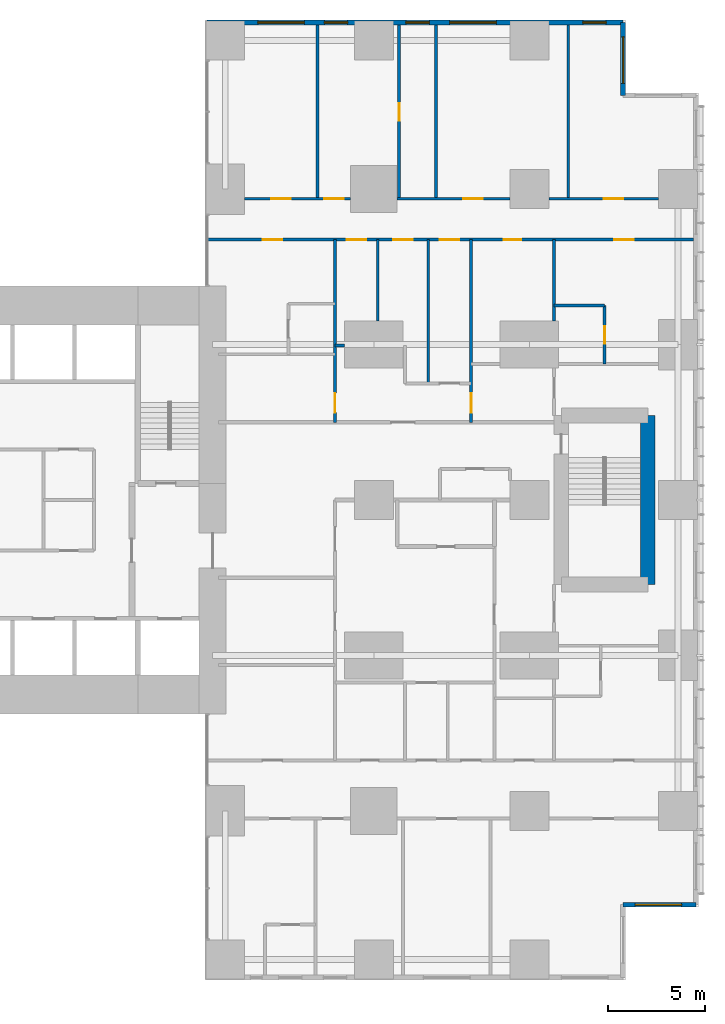
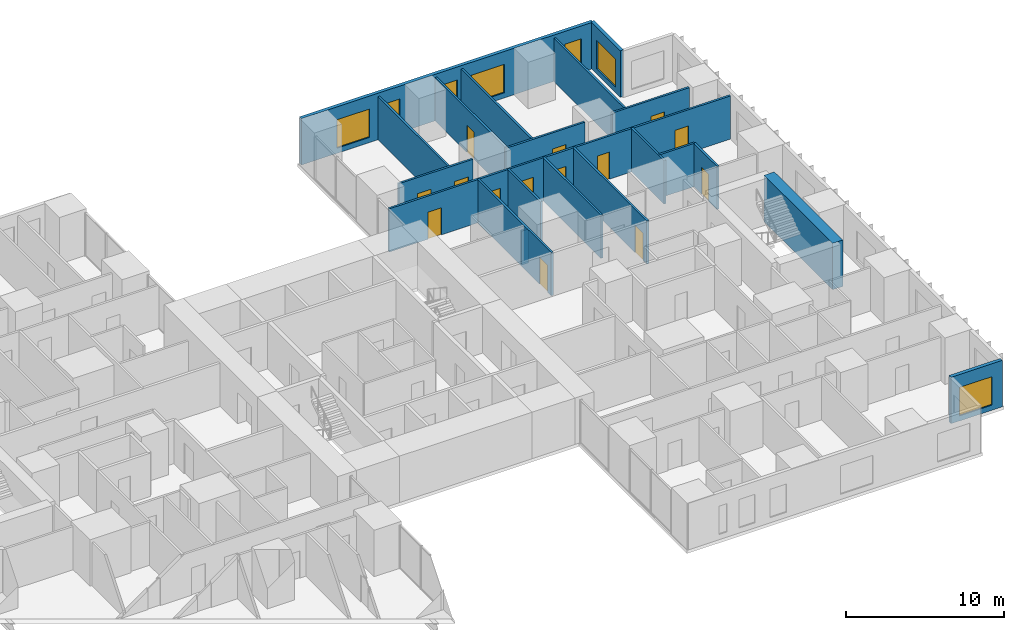
# One storey, part 18 of 20: 20 walls, 14 doors, 7 windows, 21 openings.
"""IFC4 building model written with IfcOpenShell, lengths in metres."""

from ifc_helpers import new_model, si_unit, direction, frame, frame_2d, origin, place, context, subcontext, project, spatial, rectangle, extrude, material, layer, layer_set, type_object, element, fill, save


model = new_model("IFC4")

# Units and contexts
model_context = context("Model", 3, precision=1e-05, world=origin(), true_north=direction((0.0, 1.0)))
body_context = subcontext(model_context, "Body", "Model", "MODEL_VIEW")
ifc_project = project(units=[si_unit("LENGTHUNIT", "METRE"), si_unit("AREAUNIT", "SQUARE_METRE"), si_unit("VOLUMEUNIT", "CUBIC_METRE"), si_unit("PLANEANGLEUNIT", "RADIAN"), si_unit("MASSUNIT", "GRAM", prefix="KILO")], contexts=[model_context])

# Site, building, storey
site_placement = place(None, origin())
site = spatial("IfcSite", under=ifc_project, at=site_placement, CompositionType="ELEMENT")
building_placement = place(site_placement, origin())
building = spatial("IfcBuilding", under=site, at=building_placement, Name="Cleftline Residences", CompositionType="ELEMENT")
storey_placement = place(building_placement, frame((0.0, 0.0, 103.39990234375)))
storey = spatial("IfcBuildingStorey", under=building, at=storey_placement, Name="L26", CompositionType="ELEMENT", Elevation=103.39990234375)

# Wall, opening, window
ifc_material_1 = material(Name="Rendered reinforced concrete blockwork", Category="masonry")
ifc_layer_1 = layer(ifc_material_1, 0.25)
ifc_layer_set_1 = layer_set([ifc_layer_1], Name="EXTERNAL WALL 250")
wall_type_1 = type_object("IfcWallType", Name="EXTERNAL WALL 250", PredefinedType="SOLIDWALL", material=ifc_layer_set_1)
wall_1_placement = place(storey_placement, frame((62.824951171875, 3.175048828125, 0.0), z_axis=(0.0, 0.0, 1.0), x_axis=(1.0, 0.0, 0.0)))
wall_1 = element("IfcWall", 1, at=wall_1_placement, inside=storey, type_object=wall_type_1, Name="External wall", PredefinedType="SOLIDWALL", context=body_context, shape_type="SweptSolid", body=[
    extrude(rectangle(XDim=3.75, YDim=0.25, at=frame_2d((1.875, 0.0))), origin(), (0.0, 0.0, 1.0), 3.60009765625),
])
opening_1_placement = place(wall_1_placement, frame((0.612548828125, 0.0, 0.39990234375)))
opening_1 = element("IfcOpeningElement", 2, at=opening_1_placement, cuts=wall_1, Name="Opening W12", PredefinedType="OPENING", context=body_context, shape_type="SweptSolid", body=[
    extrude(rectangle(XDim=2.39990234375, YDim=2.199951171875, at=frame_2d((1.199951171875, 1.10009765625))), frame((0.0, 0.135009765625, 0.0), z_axis=(0.0, -1.0, 0.0), x_axis=(1.0, 0.0, 0.0)), (0.0, 0.0, 1.0), 0.27001953125),
])
ifc_material_2 = material(Name="Aluminium frame, clear double glazing", Category="aluminium")
window_type_1 = type_object("IfcWindowType", Name="WINDOW 2400X2200", PartitioningType="DOUBLE_PANEL_VERTICAL", PredefinedType="WINDOW", material=ifc_material_2)
window_1_placement = place(opening_1_placement, origin())
window_1 = element("IfcWindow", 3, at=window_1_placement, inside=storey, type_object=window_type_1, Name="Window", OverallHeight=2.199951171875, OverallWidth=2.39990234375, PartitioningType="SINGLE_PANEL", PredefinedType="WINDOW", context=body_context, shape_type="SweptSolid", body=[
    extrude(rectangle(XDim=2.39990234375, YDim=2.199951171875, at=frame_2d((1.199951171875, 1.10009765625))), frame((0.0, 0.030029296875, 0.0), z_axis=(0.0, -1.0, 0.0), x_axis=(1.0, 0.0, 0.0)), (0.0, 0.0, 1.0), 0.06005859375),
])
fill(opening_1, window_1)

wall_2_placement = place(storey_placement, frame((62.824951171875, 44.824951171875, 0.0), z_axis=(0.0, 0.0, 1.0), x_axis=(0.0, 1.0, 0.0)))
wall_2 = element("IfcWall", 4, at=wall_2_placement, inside=storey, type_object=wall_type_1, Name="External wall", PredefinedType="SOLIDWALL", context=body_context, shape_type="SweptSolid", body=[
    extrude(rectangle(XDim=3.75, YDim=0.25, at=frame_2d((1.875, 0.0))), origin(), (0.0, 0.0, 1.0), 3.60009765625),
])
opening_2_placement = place(wall_2_placement, frame((0.612548828125, 0.0, 0.39990234375)))
opening_2 = element("IfcOpeningElement", 5, at=opening_2_placement, cuts=wall_2, Name="Opening W12", PredefinedType="OPENING", context=body_context, shape_type="SweptSolid", body=[
    extrude(rectangle(XDim=2.39990234375, YDim=2.199951171875, at=frame_2d((1.199951171875, 1.10009765625))), frame((0.0, 0.135009765625, 0.0), z_axis=(0.0, -1.0, 0.0), x_axis=(1.0, 0.0, 0.0)), (0.0, 0.0, 1.0), 0.27001953125),
])
window_2_placement = place(opening_2_placement, origin())
window_2 = element("IfcWindow", 6, at=window_2_placement, inside=storey, type_object=window_type_1, Name="Window", OverallHeight=2.199951171875, OverallWidth=2.39990234375, PartitioningType="SINGLE_PANEL", PredefinedType="WINDOW", context=body_context, shape_type="SweptSolid", body=[
    extrude(rectangle(XDim=2.39990234375, YDim=2.199951171875, at=frame_2d((1.199951171875, 1.10009765625))), frame((0.0, 0.030029296875, 0.0), z_axis=(0.0, -1.0, 0.0), x_axis=(1.0, 0.0, 0.0)), (0.0, 0.0, 1.0), 0.06005859375),
])
fill(opening_2, window_2)

# Wall, openings, windows
wall_3_placement = place(storey_placement, frame((62.824951171875, 48.574951171875, 0.0), z_axis=(0.0, 0.0, 1.0), x_axis=(-1.0, 0.0, 0.0)))
wall_3 = element("IfcWall", 7, at=wall_3_placement, inside=storey, type_object=wall_type_1, Name="External wall", PredefinedType="SOLIDWALL", context=body_context, shape_type="SweptSolid", body=[
    extrude(rectangle(XDim=21.39990234375, YDim=0.25, at=frame_2d((10.699951171875, 0.0))), origin(), (0.0, 0.0, 1.0), 3.60009765625),
])
opening_3_placement = place(wall_3_placement, frame((0.875, 0.0, 0.39990234375)))
opening_3 = element("IfcOpeningElement", 8, at=opening_3_placement, cuts=wall_3, Name="Opening W11", PredefinedType="OPENING", context=body_context, shape_type="SweptSolid", body=[
    extrude(rectangle(XDim=1.199951171875, YDim=2.199951171875, at=frame_2d((0.60009765625, 1.10009765625))), frame((0.0, 0.135009765625, 0.0), z_axis=(0.0, -1.0, 0.0), x_axis=(1.0, 0.0, 0.0)), (0.0, 0.0, 1.0), 0.27001953125),
])
opening_4_placement = place(wall_3_placement, frame((6.52490234375, 0.0, 0.39990234375)))
opening_4 = element("IfcOpeningElement", 9, at=opening_4_placement, cuts=wall_3, Name="Opening W12", PredefinedType="OPENING", context=body_context, shape_type="SweptSolid", body=[
    extrude(rectangle(XDim=2.39990234375, YDim=2.199951171875, at=frame_2d((1.199951171875, 1.10009765625))), frame((0.0, 0.135009765625, 0.0), z_axis=(0.0, -1.0, 0.0), x_axis=(1.0, 0.0, 0.0)), (0.0, 0.0, 1.0), 0.27001953125),
])
opening_5_placement = place(wall_3_placement, frame((9.97509765625, 0.0, 0.39990234375)))
opening_5 = element("IfcOpeningElement", 10, at=opening_5_placement, cuts=wall_3, Name="Opening W11", PredefinedType="OPENING", context=body_context, shape_type="SweptSolid", body=[
    extrude(rectangle(XDim=1.199951171875, YDim=2.199951171875, at=frame_2d((0.60009765625, 1.10009765625))), frame((0.0, 0.135009765625, 0.0), z_axis=(0.0, -1.0, 0.0), x_axis=(1.0, 0.0, 0.0)), (0.0, 0.0, 1.0), 0.27001953125),
])
opening_6_placement = place(wall_3_placement, frame((14.175048828125, 0.0, 0.39990234375)))
opening_6 = element("IfcOpeningElement", 11, at=opening_6_placement, cuts=wall_3, Name="Opening W11", PredefinedType="OPENING", context=body_context, shape_type="SweptSolid", body=[
    extrude(rectangle(XDim=1.199951171875, YDim=2.199951171875, at=frame_2d((0.60009765625, 1.10009765625))), frame((0.0, 0.135009765625, 0.0), z_axis=(0.0, -1.0, 0.0), x_axis=(1.0, 0.0, 0.0)), (0.0, 0.0, 1.0), 0.27001953125),
])
opening_7_placement = place(wall_3_placement, frame((16.39990234375, 0.0, 0.39990234375)))
opening_7 = element("IfcOpeningElement", 12, at=opening_7_placement, cuts=wall_3, Name="Opening W12", PredefinedType="OPENING", context=body_context, shape_type="SweptSolid", body=[
    extrude(rectangle(XDim=2.39990234375, YDim=2.199951171875, at=frame_2d((1.199951171875, 1.10009765625))), frame((0.0, 0.135009765625, 0.0), z_axis=(0.0, -1.0, 0.0), x_axis=(1.0, 0.0, 0.0)), (0.0, 0.0, 1.0), 0.27001953125),
])
ifc_material_3 = material(Name="Aluminium frame, clear double glazing", Category="aluminium")
window_type_2 = type_object("IfcWindowType", Name="WINDOW 1200X2200", PartitioningType="DOUBLE_PANEL_VERTICAL", PredefinedType="WINDOW", material=ifc_material_3)
window_3_placement = place(opening_3_placement, origin())
window_3 = element("IfcWindow", 13, at=window_3_placement, inside=storey, type_object=window_type_2, Name="Window", OverallHeight=2.199951171875, OverallWidth=1.199951171875, PartitioningType="SINGLE_PANEL", PredefinedType="WINDOW", context=body_context, shape_type="SweptSolid", body=[
    extrude(rectangle(XDim=1.199951171875, YDim=2.199951171875, at=frame_2d((0.60009765625, 1.10009765625))), frame((0.0, 0.030029296875, 0.0), z_axis=(0.0, -1.0, 0.0), x_axis=(1.0, 0.0, 0.0)), (0.0, 0.0, 1.0), 0.06005859375),
])
fill(opening_3, window_3)
window_4_placement = place(opening_5_placement, origin())
window_4 = element("IfcWindow", 14, at=window_4_placement, inside=storey, type_object=window_type_2, Name="Window", OverallHeight=2.199951171875, OverallWidth=1.199951171875, PartitioningType="SINGLE_PANEL", PredefinedType="WINDOW", context=body_context, shape_type="SweptSolid", body=[
    extrude(rectangle(XDim=1.199951171875, YDim=2.199951171875, at=frame_2d((0.60009765625, 1.10009765625))), frame((0.0, 0.030029296875, 0.0), z_axis=(0.0, -1.0, 0.0), x_axis=(1.0, 0.0, 0.0)), (0.0, 0.0, 1.0), 0.06005859375),
])
fill(opening_5, window_4)
window_5_placement = place(opening_6_placement, origin())
window_5 = element("IfcWindow", 15, at=window_5_placement, inside=storey, type_object=window_type_2, Name="Window", OverallHeight=2.199951171875, OverallWidth=1.199951171875, PartitioningType="SINGLE_PANEL", PredefinedType="WINDOW", context=body_context, shape_type="SweptSolid", body=[
    extrude(rectangle(XDim=1.199951171875, YDim=2.199951171875, at=frame_2d((0.60009765625, 1.10009765625))), frame((0.0, 0.030029296875, 0.0), z_axis=(0.0, -1.0, 0.0), x_axis=(1.0, 0.0, 0.0)), (0.0, 0.0, 1.0), 0.06005859375),
])
fill(opening_6, window_5)
window_6_placement = place(opening_4_placement, origin())
window_6 = element("IfcWindow", 16, at=window_6_placement, inside=storey, type_object=window_type_1, Name="Window", OverallHeight=2.199951171875, OverallWidth=2.39990234375, PartitioningType="SINGLE_PANEL", PredefinedType="WINDOW", context=body_context, shape_type="SweptSolid", body=[
    extrude(rectangle(XDim=2.39990234375, YDim=2.199951171875, at=frame_2d((1.199951171875, 1.10009765625))), frame((0.0, 0.030029296875, 0.0), z_axis=(0.0, -1.0, 0.0), x_axis=(1.0, 0.0, 0.0)), (0.0, 0.0, 1.0), 0.06005859375),
])
fill(opening_4, window_6)
window_7_placement = place(opening_7_placement, origin())
window_7 = element("IfcWindow", 17, at=window_7_placement, inside=storey, type_object=window_type_1, Name="Window", OverallHeight=2.199951171875, OverallWidth=2.39990234375, PartitioningType="SINGLE_PANEL", PredefinedType="WINDOW", context=body_context, shape_type="SweptSolid", body=[
    extrude(rectangle(XDim=2.39990234375, YDim=2.199951171875, at=frame_2d((1.199951171875, 1.10009765625))), frame((0.0, 0.030029296875, 0.0), z_axis=(0.0, -1.0, 0.0), x_axis=(1.0, 0.0, 0.0)), (0.0, 0.0, 1.0), 0.06005859375),
])
fill(opening_7, window_7)

# Walls
ifc_material_4 = material(Name="Gypsum board on steel studs", Category="steel")
ifc_layer_2 = layer(ifc_material_4, 0.14990234375)
ifc_layer_set_2 = layer_set([ifc_layer_2], Name="PARTITION 150")
wall_type_2 = type_object("IfcWallType", Name="PARTITION 150", PredefinedType="PARTITIONING", material=ifc_layer_set_2)
wall_4_placement = place(storey_placement, frame((48.0, 31.949951171875, 0.0), z_axis=(0.0, 0.0, 1.0), x_axis=(1.0, 0.0, 0.0)))
element("IfcWall", 18, at=wall_4_placement, inside=storey, type_object=wall_type_2, Name="Partition", PredefinedType="PARTITIONING", context=body_context, shape_type="SweptSolid", body=[
    extrude(rectangle(XDim=0.5, YDim=0.14990234375, at=frame_2d((0.25, 0.0))), origin(), (0.0, 0.0, 1.0), 2.634033203125),
])
wall_5_placement = place(storey_placement, frame((59.27490234375, 34.0, 0.0), z_axis=(0.0, 0.0, 1.0), x_axis=(1.0, 0.0, 0.0)))
element("IfcWall", 19, at=wall_5_placement, inside=storey, type_object=wall_type_2, Name="Partition", PredefinedType="PARTITIONING", context=body_context, shape_type="SweptSolid", body=[
    extrude(rectangle(XDim=2.60009765625, YDim=0.14990234375, at=frame_2d((1.300048828125, 0.0))), origin(), (0.0, 0.0, 1.0), 3.35009765625),
])

# Wall, openings, doors
wall_6_placement = place(storey_placement, frame((41.43896484375, 37.39990234375, 0.0), z_axis=(0.0, 0.0, 1.0), x_axis=(1.0, 0.0, 0.0)))
wall_6 = element("IfcWall", 20, at=wall_6_placement, inside=storey, type_object=wall_type_2, Name="Partition", PredefinedType="PARTITIONING", context=body_context, shape_type="SweptSolid", body=[
    extrude(rectangle(XDim=25.010986328125, YDim=0.14990234375, at=frame_2d((12.50537109375, 0.0))), origin(), (0.0, 0.0, 1.0), 3.35009765625),
])
opening_8_placement = place(wall_6_placement, frame((11.9609375, 0.0, 0.0)))
opening_8 = element("IfcOpeningElement", 21, at=opening_8_placement, cuts=wall_6, Name="Opening D2F30", PredefinedType="OPENING", context=body_context, shape_type="SweptSolid", body=[
    extrude(rectangle(XDim=1.0, YDim=2.10009765625, at=frame_2d((0.5, 1.050048828125))), frame((0.0, 0.0849609375, 0.0), z_axis=(0.0, -1.0, 0.0), x_axis=(1.0, 0.0, 0.0)), (0.0, 0.0, 1.0), 0.169921875),
])
opening_9_placement = place(wall_6_placement, frame((20.923583984375, 0.0, 0.0)))
opening_9 = element("IfcOpeningElement", 22, at=opening_9_placement, cuts=wall_6, Name="Opening D2F30", PredefinedType="OPENING", context=body_context, shape_type="SweptSolid", body=[
    extrude(rectangle(XDim=1.0, YDim=2.10009765625, at=frame_2d((0.5, 1.050048828125))), frame((0.0, 0.0849609375, 0.0), z_axis=(0.0, -1.0, 0.0), x_axis=(1.0, 0.0, 0.0)), (0.0, 0.0, 1.0), 0.169921875),
])
opening_10_placement = place(wall_6_placement, frame((15.24853515625, 0.0, 0.0)))
opening_10 = element("IfcOpeningElement", 23, at=opening_10_placement, cuts=wall_6, Name="Opening D1F30", PredefinedType="OPENING", context=body_context, shape_type="SweptSolid", body=[
    extrude(rectangle(XDim=0.89990234375, YDim=2.10009765625, at=frame_2d((0.449951171875, 1.050048828125))), frame((0.0, 0.0849609375, 0.0), z_axis=(0.0, -1.0, 0.0), x_axis=(1.0, 0.0, 0.0)), (0.0, 0.0, 1.0), 0.169921875),
])
opening_11_placement = place(wall_6_placement, frame((9.56103515625, 0.0, 0.0)))
opening_11 = element("IfcOpeningElement", 24, at=opening_11_placement, cuts=wall_6, Name="Opening D2F30", PredefinedType="OPENING", context=body_context, shape_type="SweptSolid", body=[
    extrude(rectangle(XDim=1.0, YDim=2.10009765625, at=frame_2d((0.5, 1.050048828125))), frame((0.0, 0.0849609375, 0.0), z_axis=(0.0, -1.0, 0.0), x_axis=(1.0, 0.0, 0.0)), (0.0, 0.0, 1.0), 0.169921875),
])
opening_12_placement = place(wall_6_placement, frame((7.160888671875, 0.0, 0.0)))
opening_12 = element("IfcOpeningElement", 25, at=opening_12_placement, cuts=wall_6, Name="Opening D2F30", PredefinedType="OPENING", context=body_context, shape_type="SweptSolid", body=[
    extrude(rectangle(XDim=1.0, YDim=2.10009765625, at=frame_2d((0.5, 1.050048828125))), frame((0.0, 0.0849609375, 0.0), z_axis=(0.0, -1.0, 0.0), x_axis=(1.0, 0.0, 0.0)), (0.0, 0.0, 1.0), 0.169921875),
])
opening_13_placement = place(wall_6_placement, frame((2.8359375, 0.0, 0.0)))
opening_13 = element("IfcOpeningElement", 26, at=opening_13_placement, cuts=wall_6, Name="Opening D2F30", PredefinedType="OPENING", context=body_context, shape_type="SweptSolid", body=[
    extrude(rectangle(XDim=1.0, YDim=2.10009765625, at=frame_2d((0.5, 1.050048828125))), frame((0.0, 0.0849609375, 0.0), z_axis=(0.0, -1.0, 0.0), x_axis=(1.0, 0.0, 0.0)), (0.0, 0.0, 1.0), 0.169921875),
])
ifc_material_5 = material(Name="Timber veneer on solid core", Category="wood")
door_type_1 = type_object("IfcDoorType", Name="DOOR 1000X2100 EI 30", OperationType="SINGLE_SWING_LEFT", PredefinedType="DOOR", material=ifc_material_5)
door_1_placement = place(opening_8_placement, origin())
door_1 = element("IfcDoor", 27, at=door_1_placement, inside=storey, type_object=door_type_1, Name="Door to residence hall (gallery)", OperationType="SINGLE_SWING_RIGHT", OverallHeight=2.10009765625, OverallWidth=1.0, PredefinedType="DOOR", context=body_context, shape_type="SweptSolid", body=[
    extrude(rectangle(XDim=1.0, YDim=2.10009765625, at=frame_2d((0.5, 1.050048828125))), frame((0.0, 0.02490234375, 0.0), z_axis=(0.0, -1.0, 0.0), x_axis=(1.0, 0.0, 0.0)), (0.0, 0.0, 1.0), 0.050048828125),
])
fill(opening_8, door_1)
door_2_placement = place(opening_9_placement, origin())
door_2 = element("IfcDoor", 28, at=door_2_placement, inside=storey, type_object=door_type_1, Name="Door to master bedroom", OperationType="SINGLE_SWING_LEFT", OverallHeight=2.10009765625, OverallWidth=1.0, PredefinedType="DOOR", context=body_context, shape_type="SweptSolid", body=[
    extrude(rectangle(XDim=1.0, YDim=2.10009765625, at=frame_2d((0.5, 1.050048828125))), frame((0.0, 0.02490234375, 0.0), z_axis=(0.0, -1.0, 0.0), x_axis=(1.0, 0.0, 0.0)), (0.0, 0.0, 1.0), 0.050048828125),
])
fill(opening_9, door_2)
door_3_placement = place(opening_11_placement, origin())
door_3 = element("IfcDoor", 29, at=door_3_placement, inside=storey, type_object=door_type_1, Name="Door to dining room", OperationType="SINGLE_SWING_RIGHT", OverallHeight=2.10009765625, OverallWidth=1.0, PredefinedType="DOOR", context=body_context, shape_type="SweptSolid", body=[
    extrude(rectangle(XDim=1.0, YDim=2.10009765625, at=frame_2d((0.5, 1.050048828125))), frame((0.0, 0.02490234375, 0.0), z_axis=(0.0, -1.0, 0.0), x_axis=(1.0, 0.0, 0.0)), (0.0, 0.0, 1.0), 0.050048828125),
])
fill(opening_11, door_3)
door_4_placement = place(opening_12_placement, origin())
door_4 = element("IfcDoor", 30, at=door_4_placement, inside=storey, type_object=door_type_1, Name="Door to show kitchen", OperationType="SINGLE_SWING_RIGHT", OverallHeight=2.10009765625, OverallWidth=1.0, PredefinedType="DOOR", context=body_context, shape_type="SweptSolid", body=[
    extrude(rectangle(XDim=1.0, YDim=2.10009765625, at=frame_2d((0.5, 1.050048828125))), frame((0.0, 0.02490234375, 0.0), z_axis=(0.0, -1.0, 0.0), x_axis=(1.0, 0.0, 0.0)), (0.0, 0.0, 1.0), 0.050048828125),
])
fill(opening_12, door_4)
door_5_placement = place(opening_13_placement, origin())
door_5 = element("IfcDoor", 31, at=door_5_placement, inside=storey, type_object=door_type_1, Name="Door to bedroom 3", OperationType="SINGLE_SWING_RIGHT", OverallHeight=2.10009765625, OverallWidth=1.0, PredefinedType="DOOR", context=body_context, shape_type="SweptSolid", body=[
    extrude(rectangle(XDim=1.0, YDim=2.10009765625, at=frame_2d((0.5, 1.050048828125))), frame((0.0, 0.02490234375, 0.0), z_axis=(0.0, -1.0, 0.0), x_axis=(1.0, 0.0, 0.0)), (0.0, 0.0, 1.0), 0.050048828125),
])
fill(opening_13, door_5)
ifc_material_6 = material(Name="Timber veneer on solid core", Category="wood")
door_type_2 = type_object("IfcDoorType", Name="DOOR 900X2100 EI 30", OperationType="SINGLE_SWING_LEFT", PredefinedType="DOOR", material=ifc_material_6)
door_6_placement = place(opening_10_placement, origin())
door_6 = element("IfcDoor", 32, at=door_6_placement, inside=storey, type_object=door_type_2, Name="Door to guest bathroom", OperationType="SINGLE_SWING_LEFT", OverallHeight=2.10009765625, OverallWidth=0.89990234375, PredefinedType="DOOR", context=body_context, shape_type="SweptSolid", body=[
    extrude(rectangle(XDim=0.89990234375, YDim=2.10009765625, at=frame_2d((0.449951171875, 1.050048828125))), frame((0.0, 0.02490234375, 0.0), z_axis=(0.0, -1.0, 0.0), x_axis=(1.0, 0.0, 0.0)), (0.0, 0.0, 1.0), 0.050048828125),
])
fill(opening_10, door_6)

wall_7_placement = place(storey_placement, frame((43.35009765625, 39.5, 0.0), z_axis=(0.0, 0.0, 1.0), x_axis=(1.0, 0.0, 0.0)))
wall_7 = element("IfcWall", 33, at=wall_7_placement, inside=storey, type_object=wall_type_2, Name="Partition", PredefinedType="PARTITIONING", context=body_context, shape_type="SweptSolid", body=[
    extrude(rectangle(XDim=5.449951171875, YDim=0.14990234375, at=frame_2d((2.72509765625, 0.0))), origin(), (0.0, 0.0, 1.0), 3.35009765625),
])
opening_14_placement = place(wall_7_placement, frame((4.10009765625, 0.0, 0.0)))
opening_14 = element("IfcOpeningElement", 34, at=opening_14_placement, cuts=wall_7, Name="Opening D2", PredefinedType="OPENING", context=body_context, shape_type="SweptSolid", body=[
    extrude(rectangle(XDim=1.0, YDim=2.10009765625, at=frame_2d((0.5, 1.050048828125))), frame((0.0, 0.0849609375, 0.0), z_axis=(0.0, -1.0, 0.0), x_axis=(1.0, 0.0, 0.0)), (0.0, 0.0, 1.0), 0.169921875),
])
opening_15_placement = place(wall_7_placement, frame((1.375, 0.0, 0.0)))
opening_15 = element("IfcOpeningElement", 35, at=opening_15_placement, cuts=wall_7, Name="Opening D2", PredefinedType="OPENING", context=body_context, shape_type="SweptSolid", body=[
    extrude(rectangle(XDim=1.0, YDim=2.10009765625, at=frame_2d((0.5, 1.050048828125))), frame((0.0, 0.0849609375, 0.0), z_axis=(0.0, -1.0, 0.0), x_axis=(1.0, 0.0, 0.0)), (0.0, 0.0, 1.0), 0.169921875),
])
ifc_material_7 = material(Name="Timber veneer on solid core", Category="wood")
door_type_3 = type_object("IfcDoorType", Name="DOOR 1000X2100", OperationType="SINGLE_SWING_LEFT", PredefinedType="DOOR", material=ifc_material_7)
door_7_placement = place(opening_14_placement, origin())
door_7 = element("IfcDoor", 36, at=door_7_placement, inside=storey, type_object=door_type_3, Name="Door to bedroom 2", OperationType="SINGLE_SWING_LEFT", OverallHeight=2.10009765625, OverallWidth=1.0, PredefinedType="DOOR", context=body_context, shape_type="SweptSolid", body=[
    extrude(rectangle(XDim=1.0, YDim=2.10009765625, at=frame_2d((0.5, 1.050048828125))), frame((0.0, 0.02490234375, 0.0), z_axis=(0.0, -1.0, 0.0), x_axis=(1.0, 0.0, 0.0)), (0.0, 0.0, 1.0), 0.050048828125),
])
fill(opening_14, door_7)
door_8_placement = place(opening_15_placement, origin())
door_8 = element("IfcDoor", 37, at=door_8_placement, inside=storey, type_object=door_type_3, Name="Door to bedroom 2 sitting room", OperationType="SINGLE_SWING_RIGHT", OverallHeight=2.10009765625, OverallWidth=1.0, PredefinedType="DOOR", context=body_context, shape_type="SweptSolid", body=[
    extrude(rectangle(XDim=1.0, YDim=2.10009765625, at=frame_2d((0.5, 1.050048828125))), frame((0.0, 0.02490234375, 0.0), z_axis=(0.0, -1.0, 0.0), x_axis=(1.0, 0.0, 0.0)), (0.0, 0.0, 1.0), 0.050048828125),
])
fill(opening_15, door_8)

# Wall, opening, door
wall_8_placement = place(storey_placement, frame((51.199951171875, 39.5, 0.0), z_axis=(0.0, 0.0, 1.0), x_axis=(1.0, 0.0, 0.0)))
wall_8 = element("IfcWall", 38, at=wall_8_placement, inside=storey, type_object=wall_type_2, Name="Partition", PredefinedType="PARTITIONING", context=body_context, shape_type="SweptSolid", body=[
    extrude(rectangle(XDim=5.800048828125, YDim=0.14990234375, at=frame_2d((2.89990234375, 0.0))), origin(), (0.0, 0.0, 1.0), 3.35009765625),
])
opening_16_placement = place(wall_8_placement, frame((3.39990234375, 0.0, 0.0)))
opening_16 = element("IfcOpeningElement", 39, at=opening_16_placement, cuts=wall_8, Name="Opening D2", PredefinedType="OPENING", context=body_context, shape_type="SweptSolid", body=[
    extrude(rectangle(XDim=1.0, YDim=2.10009765625, at=frame_2d((0.5, 1.050048828125))), frame((0.0, 0.0849609375, 0.0), z_axis=(0.0, -1.0, 0.0), x_axis=(1.0, 0.0, 0.0)), (0.0, 0.0, 1.0), 0.169921875),
])
door_9_placement = place(opening_16_placement, origin())
door_9 = element("IfcDoor", 40, at=door_9_placement, inside=storey, type_object=door_type_3, Name="Door to living room", OperationType="SINGLE_SWING_LEFT", OverallHeight=2.10009765625, OverallWidth=1.0, PredefinedType="DOOR", context=body_context, shape_type="SweptSolid", body=[
    extrude(rectangle(XDim=1.0, YDim=2.10009765625, at=frame_2d((0.5, 1.050048828125))), frame((0.0, 0.02490234375, 0.0), z_axis=(0.0, -1.0, 0.0), x_axis=(1.0, 0.0, 0.0)), (0.0, 0.0, 1.0), 0.050048828125),
])
fill(opening_16, door_9)

wall_9_placement = place(storey_placement, frame((59.0, 39.5, 0.0), z_axis=(0.0, 0.0, 1.0), x_axis=(1.0, 0.0, 0.0)))
wall_9 = element("IfcWall", 41, at=wall_9_placement, inside=storey, type_object=wall_type_2, Name="Partition", PredefinedType="PARTITIONING", context=body_context, shape_type="SweptSolid", body=[
    extrude(rectangle(XDim=5.64990234375, YDim=0.14990234375, at=frame_2d((2.824951171875, 0.0))), origin(), (0.0, 0.0, 1.0), 3.35009765625),
])
opening_17_placement = place(wall_9_placement, frame((2.824951171875, 0.0, 0.0)))
opening_17 = element("IfcOpeningElement", 42, at=opening_17_placement, cuts=wall_9, Name="Opening D2", PredefinedType="OPENING", context=body_context, shape_type="SweptSolid", body=[
    extrude(rectangle(XDim=1.0, YDim=2.10009765625, at=frame_2d((0.5, 1.050048828125))), frame((0.0, 0.0849609375, 0.0), z_axis=(0.0, -1.0, 0.0), x_axis=(1.0, 0.0, 0.0)), (0.0, 0.0, 1.0), 0.169921875),
])
door_10_placement = place(opening_17_placement, origin())
door_10 = element("IfcDoor", 43, at=door_10_placement, inside=storey, type_object=door_type_3, Name="Door to winter garden", OperationType="SINGLE_SWING_LEFT", OverallHeight=2.10009765625, OverallWidth=1.0, PredefinedType="DOOR", context=body_context, shape_type="SweptSolid", body=[
    extrude(rectangle(XDim=1.0, YDim=2.10009765625, at=frame_2d((0.5, 1.050048828125))), frame((0.0, 0.02490234375, 0.0), z_axis=(0.0, -1.0, 0.0), x_axis=(1.0, 0.0, 0.0)), (0.0, 0.0, 1.0), 0.050048828125),
])
fill(opening_17, door_10)

# Wall
wall_10_placement = place(storey_placement, frame((47.10009765625, 39.5, 0.0), z_axis=(0.0, 0.0, 1.0), x_axis=(0.0, 1.0, 0.0)))
element("IfcWall", 44, at=wall_10_placement, inside=storey, type_object=wall_type_2, Name="Partition", PredefinedType="PARTITIONING", context=body_context, shape_type="SweptSolid", body=[
    extrude(rectangle(XDim=8.949951171875, YDim=0.14990234375, at=frame_2d((4.47509765625, 0.0))), origin(), (0.0, 0.0, 1.0), 3.35009765625),
])

# Wall, opening, door
wall_11_placement = place(storey_placement, frame((48.0, 28.0, 0.0), z_axis=(0.0, 0.0, 1.0), x_axis=(0.0, 1.0, 0.0)))
wall_11 = element("IfcWall", 45, at=wall_11_placement, inside=storey, type_object=wall_type_2, Name="Partition", PredefinedType="PARTITIONING", context=body_context, shape_type="SweptSolid", body=[
    extrude(rectangle(XDim=9.39990234375, YDim=0.14990234375, at=frame_2d((4.699951171875, 0.0))), origin(), (0.0, 0.0, 1.0), 3.35009765625),
])
opening_18_placement = place(wall_11_placement, frame((0.5, 0.0, 0.0)))
opening_18 = element("IfcOpeningElement", 46, at=opening_18_placement, cuts=wall_11, Name="Opening D2", PredefinedType="OPENING", context=body_context, shape_type="SweptSolid", body=[
    extrude(rectangle(XDim=1.0, YDim=2.10009765625, at=frame_2d((0.5, 1.050048828125))), frame((0.0, 0.0849609375, 0.0), z_axis=(0.0, -1.0, 0.0), x_axis=(1.0, 0.0, 0.0)), (0.0, 0.0, 1.0), 0.169921875),
])
door_11_placement = place(opening_18_placement, origin())
door_11 = element("IfcDoor", 47, at=door_11_placement, inside=storey, type_object=door_type_3, Name="Door to wet kitchen", OperationType="SINGLE_SWING_RIGHT", OverallHeight=2.10009765625, OverallWidth=1.0, PredefinedType="DOOR", context=body_context, shape_type="SweptSolid", body=[
    extrude(rectangle(XDim=1.0, YDim=2.10009765625, at=frame_2d((0.5, 1.050048828125))), frame((0.0, 0.02490234375, 0.0), z_axis=(0.0, -1.0, 0.0), x_axis=(1.0, 0.0, 0.0)), (0.0, 0.0, 1.0), 0.050048828125),
])
fill(opening_18, door_11)

# Wall
wall_12_placement = place(storey_placement, frame((50.199951171875, 33.199951171875, 0.0), z_axis=(0.0, 0.0, 1.0), x_axis=(0.0, 1.0, 0.0)))
element("IfcWall", 48, at=wall_12_placement, inside=storey, type_object=wall_type_2, Name="Partition", PredefinedType="PARTITIONING", context=body_context, shape_type="SweptSolid", body=[
    extrude(rectangle(XDim=4.199951171875, YDim=0.14990234375, at=frame_2d((2.10009765625, 0.0))), origin(), (0.0, 0.0, 1.0), 3.35009765625),
])

# Wall, opening, door
wall_13_placement = place(storey_placement, frame((51.300048828125, 39.5, 0.0), z_axis=(0.0, 0.0, 1.0), x_axis=(0.0, 1.0, 0.0)))
wall_13 = element("IfcWall", 49, at=wall_13_placement, inside=storey, type_object=wall_type_2, Name="Partition", PredefinedType="PARTITIONING", context=body_context, shape_type="SweptSolid", body=[
    extrude(rectangle(XDim=8.949951171875, YDim=0.14990234375, at=frame_2d((4.47509765625, 0.0))), origin(), (0.0, 0.0, 1.0), 3.35009765625),
])
opening_19_placement = place(wall_13_placement, frame((4.02490234375, 0.0, 0.0)))
opening_19 = element("IfcOpeningElement", 50, at=opening_19_placement, cuts=wall_13, Name="Opening D1", PredefinedType="OPENING", context=body_context, shape_type="SweptSolid", body=[
    extrude(rectangle(XDim=0.89990234375, YDim=2.10009765625, at=frame_2d((0.449951171875, 1.050048828125))), frame((0.0, 0.0849609375, 0.0), z_axis=(0.0, -1.0, 0.0), x_axis=(1.0, 0.0, 0.0)), (0.0, 0.0, 1.0), 0.169921875),
])
ifc_material_8 = material(Name="Timber veneer on solid core", Category="wood")
door_type_4 = type_object("IfcDoorType", Name="DOOR 900X2100", OperationType="SINGLE_SWING_LEFT", PredefinedType="DOOR", material=ifc_material_8)
door_12_placement = place(opening_19_placement, origin())
door_12 = element("IfcDoor", 51, at=door_12_placement, inside=storey, type_object=door_type_4, Name="Door to en-suite bathroom 2", OperationType="SINGLE_SWING_LEFT", OverallHeight=2.10009765625, OverallWidth=0.89990234375, PredefinedType="DOOR", context=body_context, shape_type="SweptSolid", body=[
    extrude(rectangle(XDim=0.89990234375, YDim=2.10009765625, at=frame_2d((0.449951171875, 1.050048828125))), frame((0.0, 0.02490234375, 0.0), z_axis=(0.0, -1.0, 0.0), x_axis=(1.0, 0.0, 0.0)), (0.0, 0.0, 1.0), 0.050048828125),
])
fill(opening_19, door_12)

# Walls
wall_14_placement = place(storey_placement, frame((52.800048828125, 30.0, 0.0), z_axis=(0.0, 0.0, 1.0), x_axis=(0.0, 1.0, 0.0)))
element("IfcWall", 52, at=wall_14_placement, inside=storey, type_object=wall_type_2, Name="Partition", PredefinedType="PARTITIONING", context=body_context, shape_type="SweptSolid", body=[
    extrude(rectangle(XDim=7.39990234375, YDim=0.14990234375, at=frame_2d((3.699951171875, 0.0))), origin(), (0.0, 0.0, 1.0), 3.35009765625),
])
wall_15_placement = place(storey_placement, frame((53.199951171875, 39.5, 0.0), z_axis=(0.0, 0.0, 1.0), x_axis=(0.0, 1.0, 0.0)))
element("IfcWall", 53, at=wall_15_placement, inside=storey, type_object=wall_type_2, Name="Partition", PredefinedType="PARTITIONING", context=body_context, shape_type="SweptSolid", body=[
    extrude(rectangle(XDim=8.949951171875, YDim=0.14990234375, at=frame_2d((4.47509765625, 0.0))), origin(), (0.0, 0.0, 1.0), 3.35009765625),
])

# Wall, opening, door
wall_16_placement = place(storey_placement, frame((55.0, 28.0, 0.0), z_axis=(0.0, 0.0, 1.0), x_axis=(0.0, 1.0, 0.0)))
wall_16 = element("IfcWall", 54, at=wall_16_placement, inside=storey, type_object=wall_type_2, Name="Partition", PredefinedType="PARTITIONING", context=body_context, shape_type="SweptSolid", body=[
    extrude(rectangle(XDim=9.39990234375, YDim=0.14990234375, at=frame_2d((4.699951171875, 0.0))), origin(), (0.0, 0.0, 1.0), 3.35009765625),
])
opening_20_placement = place(wall_16_placement, frame((0.5, 0.0, 0.0)))
opening_20 = element("IfcOpeningElement", 55, at=opening_20_placement, cuts=wall_16, Name="Opening D2F30", PredefinedType="OPENING", context=body_context, shape_type="SweptSolid", body=[
    extrude(rectangle(XDim=1.0, YDim=2.10009765625, at=frame_2d((0.5, 1.050048828125))), frame((0.0, 0.0849609375, 0.0), z_axis=(0.0, -1.0, 0.0), x_axis=(1.0, 0.0, 0.0)), (0.0, 0.0, 1.0), 0.169921875),
])
door_13_placement = place(opening_20_placement, origin())
door_13 = element("IfcDoor", 56, at=door_13_placement, inside=storey, type_object=door_type_1, Name="Door to residence lobby", OperationType="SINGLE_SWING_RIGHT", OverallHeight=2.10009765625, OverallWidth=1.0, PredefinedType="DOOR", context=body_context, shape_type="SweptSolid", body=[
    extrude(rectangle(XDim=1.0, YDim=2.10009765625, at=frame_2d((0.5, 1.050048828125))), frame((0.0, 0.02490234375, 0.0), z_axis=(0.0, -1.0, 0.0), x_axis=(1.0, 0.0, 0.0)), (0.0, 0.0, 1.0), 0.050048828125),
])
fill(opening_20, door_13)

# Walls
wall_17_placement = place(storey_placement, frame((59.27490234375, 33.199951171875, 0.0), z_axis=(0.0, 0.0, 1.0), x_axis=(0.0, 1.0, 0.0)))
element("IfcWall", 57, at=wall_17_placement, inside=storey, type_object=wall_type_2, Name="Partition", PredefinedType="PARTITIONING", context=body_context, shape_type="SweptSolid", body=[
    extrude(rectangle(XDim=4.199951171875, YDim=0.14990234375, at=frame_2d((2.10009765625, 0.0))), origin(), (0.0, 0.0, 1.0), 3.35009765625),
])
wall_18_placement = place(storey_placement, frame((60.0, 39.5, 0.0), z_axis=(0.0, 0.0, 1.0), x_axis=(0.0, 1.0, 0.0)))
element("IfcWall", 58, at=wall_18_placement, inside=storey, type_object=wall_type_2, Name="Partition", PredefinedType="PARTITIONING", context=body_context, shape_type="SweptSolid", body=[
    extrude(rectangle(XDim=8.949951171875, YDim=0.14990234375, at=frame_2d((4.47509765625, 0.0))), origin(), (0.0, 0.0, 1.0), 3.35009765625),
])

# Wall, opening, door
wall_19_placement = place(storey_placement, frame((61.875, 31.0, 0.0), z_axis=(0.0, 0.0, 1.0), x_axis=(0.0, 1.0, 0.0)))
wall_19 = element("IfcWall", 59, at=wall_19_placement, inside=storey, type_object=wall_type_2, Name="Partition", PredefinedType="PARTITIONING", context=body_context, shape_type="SweptSolid", body=[
    extrude(rectangle(XDim=3.0, YDim=0.14990234375, at=frame_2d((1.5, 0.0))), origin(), (0.0, 0.0, 1.0), 3.35009765625),
])
opening_21_placement = place(wall_19_placement, frame((1.050048828125, 0.0, 0.0)))
opening_21 = element("IfcOpeningElement", 60, at=opening_21_placement, cuts=wall_19, Name="Opening D1", PredefinedType="OPENING", context=body_context, shape_type="SweptSolid", body=[
    extrude(rectangle(XDim=0.89990234375, YDim=2.10009765625, at=frame_2d((0.449951171875, 1.050048828125))), frame((0.0, 0.0849609375, 0.0), z_axis=(0.0, -1.0, 0.0), x_axis=(1.0, 0.0, 0.0)), (0.0, 0.0, 1.0), 0.169921875),
])
door_14_placement = place(opening_21_placement, origin())
door_14 = element("IfcDoor", 61, at=door_14_placement, inside=storey, type_object=door_type_4, Name="Door to master bathroom", OperationType="SINGLE_SWING_LEFT", OverallHeight=2.10009765625, OverallWidth=0.89990234375, PredefinedType="DOOR", context=body_context, shape_type="SweptSolid", body=[
    extrude(rectangle(XDim=0.89990234375, YDim=2.10009765625, at=frame_2d((0.449951171875, 1.050048828125))), frame((0.0, 0.02490234375, 0.0), z_axis=(0.0, -1.0, 0.0), x_axis=(1.0, 0.0, 0.0)), (0.0, 0.0, 1.0), 0.050048828125),
])
fill(opening_21, door_14)

# Wall
ifc_material_9 = material(Name="Concrete B70", Category="concrete")
ifc_layer_3 = layer(ifc_material_9, 0.75)
ifc_layer_set_3 = layer_set([ifc_layer_3], Name="SHEAR WALL 750")
wall_type_3 = type_object("IfcWallType", Name="SHEAR WALL 750", PredefinedType="SHEAR", material=ifc_layer_set_3)
wall_20_placement = place(storey_placement, frame((64.10009765625, 19.64990234375, 0.0), z_axis=(0.0, 0.0, 1.0), x_axis=(0.0, 1.0, 0.0)))
element("IfcWall", 62, at=wall_20_placement, inside=storey, type_object=wall_type_3, Name="Wing shear wall", PredefinedType="SHEAR", context=body_context, shape_type="SweptSolid", body=[
    extrude(rectangle(XDim=8.7001953125, YDim=0.75, at=frame_2d((4.35009765625, 0.0))), origin(), (0.0, 0.0, 1.0), 3.60009765625),
])

save(model, "model.ifc")
